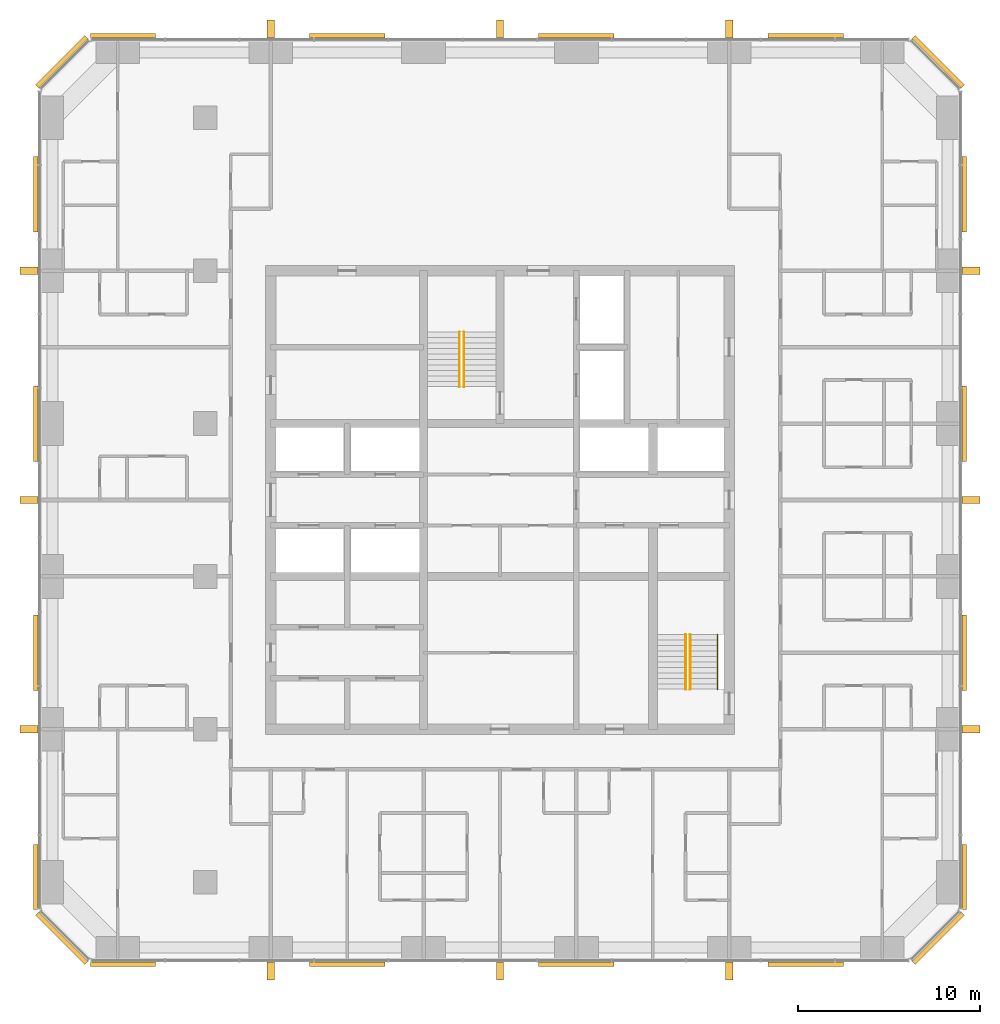
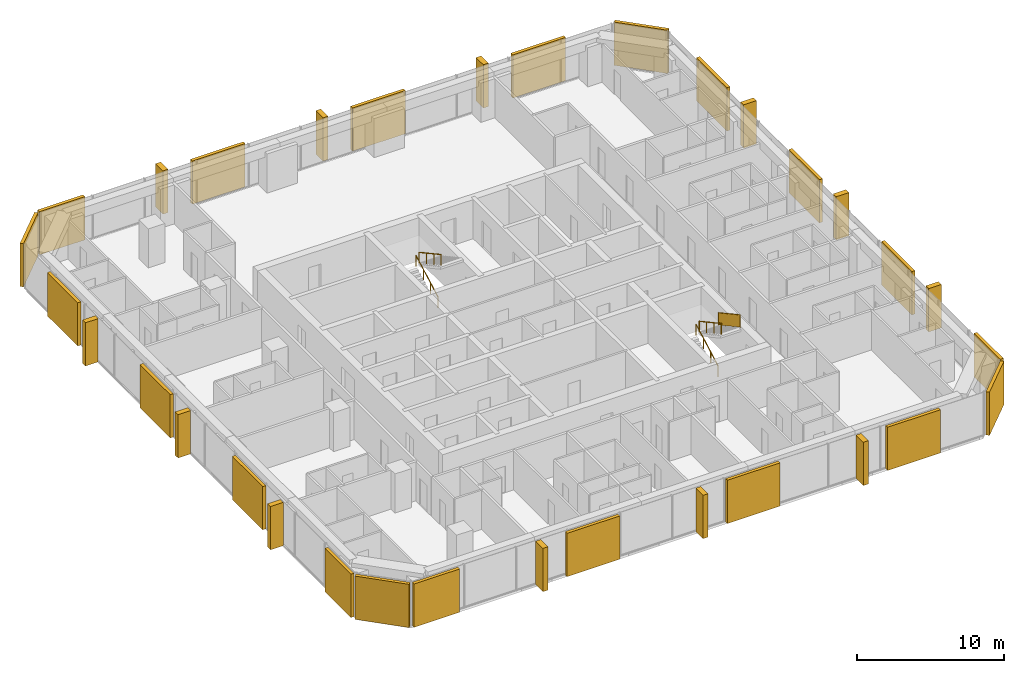
# One storey, part 14 of 14: 20 coverings, 12 shading devices, 5 railings.
"""IFC4 building model written with IfcOpenShell, lengths in metres."""

from ifc_helpers import new_model, si_unit, direction, frame, origin, origin_2d, place, context, subcontext, project, spatial, polyline, rectangle, circle, outline, extrude, material, layer, layer_set, type_object, element, save


model = new_model("IFC4")

# Units and contexts
model_context = context("Model", 3, precision=1e-05, world=origin(), true_north=direction((0.0, 1.0)))
body_context = subcontext(model_context, "Body", "Model", "MODEL_VIEW")
ifc_project = project(units=[si_unit("LENGTHUNIT", "METRE"), si_unit("AREAUNIT", "SQUARE_METRE"), si_unit("VOLUMEUNIT", "CUBIC_METRE"), si_unit("PLANEANGLEUNIT", "RADIAN"), si_unit("MASSUNIT", "GRAM", prefix="KILO")], contexts=[model_context])

# Site, building, storey
site_placement = place(None, origin())
site = spatial("IfcSite", under=ifc_project, at=site_placement, CompositionType="ELEMENT")
building_placement = place(site_placement, origin())
building = spatial("IfcBuilding", under=site, at=building_placement, Name="Dunama Terrace Hotel", CompositionType="ELEMENT")
storey_placement = place(building_placement, frame((0.0, 0.0, 180.60009765625)))
storey = spatial("IfcBuildingStorey", under=building, at=storey_placement, Name="L46", CompositionType="ELEMENT", Elevation=180.60009765625)

# Railings
ifc_material_1 = material(Name="Stainless steel and laminated glass guard", Category="steel")
railing_type_1 = type_object("IfcRailingType", Name="Guard 1100", PredefinedType="GUARDRAIL", material=ifc_material_1)
railing_1_placement = place(storey_placement, frame((41.35009765625, 22.0, 1.963623046875)))
element("IfcRailing", 1, at=railing_1_placement, inside=storey, type_object=railing_type_1, Name="Stair guard ST2 L46", PredefinedType="GUARDRAIL", context=body_context, shape_type="SweptSolid", body=[
    extrude(circle(Radius=0.02392578125, at=origin_2d()), frame((0.0, 0.0, 1.076171875), z_axis=(0.0, -0.877911954615, 0.47882209634), x_axis=(1.0, 0.0, 0.0)), (0.0, 0.0, 1.0), 3.417236328125),
    extrude(circle(Radius=0.02099609375, at=origin_2d()), origin(), (0.0, 0.0, 1.0), 1.052001953125),
    extrude(circle(Radius=0.02099609375, at=origin_2d()), frame((0.0, -1.0, 0.54541015625)), (0.0, 0.0, 1.0), 1.052001953125),
    extrude(circle(Radius=0.02099609375, at=origin_2d()), frame((0.0, -2.0, 1.0908203125)), (0.0, 0.0, 1.0), 1.052001953125),
    extrude(circle(Radius=0.02099609375, at=origin_2d()), frame((0.0, -3.0, 1.63623046875)), (0.0, 0.0, 1.0), 1.052001953125),
    extrude(outline(polyline([(0.0048828125, 0.052734375), (0.9951171875, 0.5927734375), (0.9951171875, 1.618896484375), (0.0048828125, 1.07861328125), (0.0048828125, 0.052734375)])), frame((0.0087890625, 0.0, 0.0), z_axis=(-1.0, 0.0, 0.0), x_axis=(0.0, -1.0, 0.0)), (0.0, 0.0, 1.0), 0.017578125),
    extrude(outline(polyline([(0.0048828125, 0.052734375), (0.9951171875, 0.5927734375), (0.9951171875, 1.618896484375), (0.0048828125, 1.07861328125), (0.0048828125, 0.052734375)])), frame((0.0087890625, -1.0, 0.54541015625), z_axis=(-1.0, 0.0, 0.0), x_axis=(0.0, -1.0, 0.0)), (0.0, 0.0, 1.0), 0.017578125),
    extrude(outline(polyline([(0.0048828125, 0.052734375), (0.9951171875, 0.5927734375), (0.9951171875, 1.618896484375), (0.0048828125, 1.07861328125), (0.0048828125, 0.052734375)])), frame((0.0087890625, -2.0, 1.0908203125), z_axis=(-1.0, 0.0, 0.0), x_axis=(0.0, -1.0, 0.0)), (0.0, 0.0, 1.0), 0.017578125),
])
ifc_material_2 = material(Name="Stainless steel handrail", Category="steel")
railing_type_2 = type_object("IfcRailingType", Name="Stair handrail 900", PredefinedType="HANDRAIL", material=ifc_material_2)
railing_2_placement = place(storey_placement, frame((27.175048828125, 35.625, 0.16357421875)))
element("IfcRailing", 2, at=railing_2_placement, inside=storey, type_object=railing_type_2, Name="Handrail ST1 L46", PredefinedType="HANDRAIL", context=body_context, shape_type="SweptSolid", body=[
    extrude(circle(Radius=0.02392578125, at=origin_2d()), frame((0.0, 0.0, 0.8759765625), z_axis=(0.0, 0.877911954615, 0.47882209634), x_axis=(-1.0, 0.0, 0.0)), (0.0, 0.0, 1.0), 3.417236328125),
    extrude(circle(Radius=0.02099609375, at=origin_2d()), origin(), (0.0, 0.0, 1.0), 0.851806640625),
    extrude(circle(Radius=0.02099609375, at=origin_2d()), frame((0.0, 1.0, 0.54541015625)), (0.0, 0.0, 1.0), 0.851806640625),
    extrude(circle(Radius=0.02099609375, at=origin_2d()), frame((0.0, 2.0, 1.0908203125)), (0.0, 0.0, 1.0), 0.851806640625),
    extrude(circle(Radius=0.02099609375, at=origin_2d()), frame((0.0, 3.0, 1.63623046875)), (0.0, 0.0, 1.0), 0.851806640625),
])
railing_3_placement = place(storey_placement, frame((27.425048828125, 38.625, 1.963623046875)))
element("IfcRailing", 3, at=railing_3_placement, inside=storey, type_object=railing_type_2, Name="Handrail ST1 L46", PredefinedType="HANDRAIL", context=body_context, shape_type="SweptSolid", body=[
    extrude(circle(Radius=0.02392578125, at=origin_2d()), frame((0.0, 0.0, 0.8759765625), z_axis=(0.0, -0.877911954615, 0.47882209634), x_axis=(1.0, 0.0, 0.0)), (0.0, 0.0, 1.0), 3.417236328125),
    extrude(circle(Radius=0.02099609375, at=origin_2d()), origin(), (0.0, 0.0, 1.0), 0.851806640625),
    extrude(circle(Radius=0.02099609375, at=origin_2d()), frame((0.0, -1.0, 0.54541015625)), (0.0, 0.0, 1.0), 0.851806640625),
    extrude(circle(Radius=0.02099609375, at=origin_2d()), frame((0.0, -2.0, 1.0908203125)), (0.0, 0.0, 1.0), 0.851806640625),
    extrude(circle(Radius=0.02099609375, at=origin_2d()), frame((0.0, -3.0, 1.63623046875)), (0.0, 0.0, 1.0), 0.851806640625),
])
railing_4_placement = place(storey_placement, frame((39.60009765625, 19.0, 0.16357421875)))
element("IfcRailing", 4, at=railing_4_placement, inside=storey, type_object=railing_type_2, Name="Handrail ST2 L46", PredefinedType="HANDRAIL", context=body_context, shape_type="SweptSolid", body=[
    extrude(circle(Radius=0.02392578125, at=origin_2d()), frame((0.0, 0.0, 0.8759765625), z_axis=(0.0, 0.877911954615, 0.47882209634), x_axis=(-1.0, 0.0, 0.0)), (0.0, 0.0, 1.0), 3.417236328125),
    extrude(circle(Radius=0.02099609375, at=origin_2d()), origin(), (0.0, 0.0, 1.0), 0.851806640625),
    extrude(circle(Radius=0.02099609375, at=origin_2d()), frame((0.0, 1.0, 0.54541015625)), (0.0, 0.0, 1.0), 0.851806640625),
    extrude(circle(Radius=0.02099609375, at=origin_2d()), frame((0.0, 2.0, 1.0908203125)), (0.0, 0.0, 1.0), 0.851806640625),
    extrude(circle(Radius=0.02099609375, at=origin_2d()), frame((0.0, 3.0, 1.63623046875)), (0.0, 0.0, 1.0), 0.851806640625),
])
railing_5_placement = place(storey_placement, frame((39.85009765625, 22.0, 1.963623046875)))
element("IfcRailing", 5, at=railing_5_placement, inside=storey, type_object=railing_type_2, Name="Handrail ST2 L46", PredefinedType="HANDRAIL", context=body_context, shape_type="SweptSolid", body=[
    extrude(circle(Radius=0.02392578125, at=origin_2d()), frame((0.0, 0.0, 0.8759765625), z_axis=(0.0, -0.877911954615, 0.47882209634), x_axis=(1.0, 0.0, 0.0)), (0.0, 0.0, 1.0), 3.417236328125),
    extrude(circle(Radius=0.02099609375, at=origin_2d()), origin(), (0.0, 0.0, 1.0), 0.851806640625),
    extrude(circle(Radius=0.02099609375, at=origin_2d()), frame((0.0, -1.0, 0.54541015625)), (0.0, 0.0, 1.0), 0.851806640625),
    extrude(circle(Radius=0.02099609375, at=origin_2d()), frame((0.0, -2.0, 1.0908203125)), (0.0, 0.0, 1.0), 0.851806640625),
    extrude(circle(Radius=0.02099609375, at=origin_2d()), frame((0.0, -3.0, 1.63623046875)), (0.0, 0.0, 1.0), 0.851806640625),
])

# Coverings
ifc_material_3 = material(Name="Warm reconstituted stone panel", Category="masonry")
ifc_layer_1 = layer(ifc_material_3, 0.25)
ifc_layer_set_1 = layer_set([ifc_layer_1], Name="Stone diagonal panel")
covering_type = type_object("IfcCoveringType", Name="Stone diagonal panel", PredefinedType="CLADDING", material=ifc_layer_set_1)
covering_1_placement = place(storey_placement, frame((8.68994140625, 3.876953125, 0.001953125), z_axis=(0.0, 0.0, 1.0), x_axis=(1.0, 0.0, 0.0)))
element("IfcCovering", 6, at=covering_1_placement, inside=storey, type_object=covering_type, Name="Stone diagonal panel L46", PredefinedType="CLADDING", context=body_context, shape_type="SweptSolid", body=[
    extrude(rectangle(XDim=3.570068359375, YDim=0.25, at=origin_2d()), origin(), (0.0, 0.0, 1.0), 3.595947265625),
])
for number, where, z_axis, x_axis, name in (
    (7, (21.0, 3.876953125, 0.001953125), (0.0, 0.0, 1.0), (1.0, 0.0, 0.0), "Stone diagonal panel L46"),
    (8, (33.60009765625, 3.876953125, 0.001953125), (0.0, 0.0, 1.0), (1.0, 0.0, 0.0), "Stone diagonal panel L46"),
    (9, (46.199951171875, 3.876953125, 0.001953125), (0.0, 0.0, 1.0), (1.0, 0.0, 0.0), "Stone diagonal panel L46"),
):
    element("IfcCovering", number, at=place(storey_placement, frame(where, z_axis=z_axis, x_axis=x_axis)), inside=storey, type_object=covering_type, Name=name, PredefinedType="CLADDING", context=body_context, shape_type="SweptSolid", body=[
        extrude(rectangle(XDim=4.14990234375, YDim=0.25, at=origin_2d()), origin(), (0.0, 0.0, 1.0), 3.595947265625),
    ])
covering_2_placement = place(storey_placement, frame((53.47900390625, 5.321044921875, 0.001953125), z_axis=(0.0, 0.0, 1.0), x_axis=(0.707106781187, 0.707106781187, 0.0)))
element("IfcCovering", 10, at=covering_2_placement, inside=storey, type_object=covering_type, Name="Stone diagonal panel L46", PredefinedType="CLADDING", context=body_context, shape_type="SweptSolid", body=[
    extrude(rectangle(XDim=3.808349609375, YDim=0.25, at=origin_2d()), origin(), (0.0, 0.0, 1.0), 3.595947265625),
])
covering_3_placement = place(storey_placement, frame((54.923095703125, 8.68994140625, 0.001953125), z_axis=(0.0, 0.0, 1.0), x_axis=(0.0, 1.0, 0.0)))
element("IfcCovering", 11, at=covering_3_placement, inside=storey, type_object=covering_type, Name="Stone diagonal panel L46", PredefinedType="CLADDING", context=body_context, shape_type="SweptSolid", body=[
    extrude(rectangle(XDim=3.570068359375, YDim=0.25, at=origin_2d()), origin(), (0.0, 0.0, 1.0), 3.595947265625),
])
for number, where, z_axis, x_axis, name in (
    (12, (54.923095703125, 21.0, 0.001953125), (0.0, 0.0, 1.0), (0.0, 1.0, 0.0), "Stone diagonal panel L46"),
    (13, (54.923095703125, 33.60009765625, 0.001953125), (0.0, 0.0, 1.0), (0.0, 1.0, 0.0), "Stone diagonal panel L46"),
    (14, (54.923095703125, 46.199951171875, 0.001953125), (0.0, 0.0, 1.0), (0.0, 1.0, 0.0), "Stone diagonal panel L46"),
):
    element("IfcCovering", number, at=place(storey_placement, frame(where, z_axis=z_axis, x_axis=x_axis)), inside=storey, type_object=covering_type, Name=name, PredefinedType="CLADDING", context=body_context, shape_type="SweptSolid", body=[
        extrude(rectangle(XDim=4.14990234375, YDim=0.25, at=origin_2d()), origin(), (0.0, 0.0, 1.0), 3.595947265625),
    ])
covering_4_placement = place(storey_placement, frame((53.47900390625, 53.47900390625, 0.001953125), z_axis=(0.0, 0.0, 1.0), x_axis=(-0.707106781187, 0.707106781187, 0.0)))
element("IfcCovering", 15, at=covering_4_placement, inside=storey, type_object=covering_type, Name="Stone diagonal panel L46", PredefinedType="CLADDING", context=body_context, shape_type="SweptSolid", body=[
    extrude(rectangle(XDim=3.808349609375, YDim=0.25, at=origin_2d()), origin(), (0.0, 0.0, 1.0), 3.595947265625),
])
for number, where, z_axis, x_axis, name in (
    (16, (46.199951171875, 54.923095703125, 0.001953125), (0.0, 0.0, 1.0), (-1.0, 0.0, 0.0), "Stone diagonal panel L46"),
    (17, (33.60009765625, 54.923095703125, 0.001953125), (0.0, 0.0, 1.0), (-1.0, 0.0, 0.0), "Stone diagonal panel L46"),
    (18, (21.0, 54.923095703125, 0.001953125), (0.0, 0.0, 1.0), (-1.0, 0.0, 0.0), "Stone diagonal panel L46"),
):
    element("IfcCovering", number, at=place(storey_placement, frame(where, z_axis=z_axis, x_axis=x_axis)), inside=storey, type_object=covering_type, Name=name, PredefinedType="CLADDING", context=body_context, shape_type="SweptSolid", body=[
        extrude(rectangle(XDim=4.14990234375, YDim=0.25, at=origin_2d()), origin(), (0.0, 0.0, 1.0), 3.595947265625),
    ])
covering_5_placement = place(storey_placement, frame((8.68994140625, 54.923095703125, 0.001953125), z_axis=(0.0, 0.0, 1.0), x_axis=(-1.0, 0.0, 0.0)))
element("IfcCovering", 19, at=covering_5_placement, inside=storey, type_object=covering_type, Name="Stone diagonal panel L46", PredefinedType="CLADDING", context=body_context, shape_type="SweptSolid", body=[
    extrude(rectangle(XDim=3.570068359375, YDim=0.25, at=origin_2d()), origin(), (0.0, 0.0, 1.0), 3.595947265625),
])
covering_6_placement = place(storey_placement, frame((5.321044921875, 53.47900390625, 0.001953125), z_axis=(0.0, 0.0, 1.0), x_axis=(-0.707106781187, -0.707106781187, 0.0)))
element("IfcCovering", 20, at=covering_6_placement, inside=storey, type_object=covering_type, Name="Stone diagonal panel L46", PredefinedType="CLADDING", context=body_context, shape_type="SweptSolid", body=[
    extrude(rectangle(XDim=3.808349609375, YDim=0.25, at=origin_2d()), origin(), (0.0, 0.0, 1.0), 3.595947265625),
])
for number, where, z_axis, x_axis, name in (
    (21, (3.876953125, 46.199951171875, 0.001953125), (0.0, 0.0, 1.0), (0.0, -1.0, 0.0), "Stone diagonal panel L46"),
    (22, (3.876953125, 33.60009765625, 0.001953125), (0.0, 0.0, 1.0), (0.0, -1.0, 0.0), "Stone diagonal panel L46"),
    (23, (3.876953125, 21.0, 0.001953125), (0.0, 0.0, 1.0), (0.0, -1.0, 0.0), "Stone diagonal panel L46"),
):
    element("IfcCovering", number, at=place(storey_placement, frame(where, z_axis=z_axis, x_axis=x_axis)), inside=storey, type_object=covering_type, Name=name, PredefinedType="CLADDING", context=body_context, shape_type="SweptSolid", body=[
        extrude(rectangle(XDim=4.14990234375, YDim=0.25, at=origin_2d()), origin(), (0.0, 0.0, 1.0), 3.595947265625),
    ])
covering_7_placement = place(storey_placement, frame((3.876953125, 8.68994140625, 0.001953125), z_axis=(0.0, 0.0, 1.0), x_axis=(0.0, -1.0, 0.0)))
element("IfcCovering", 24, at=covering_7_placement, inside=storey, type_object=covering_type, Name="Stone diagonal panel L46", PredefinedType="CLADDING", context=body_context, shape_type="SweptSolid", body=[
    extrude(rectangle(XDim=3.570068359375, YDim=0.25, at=origin_2d()), origin(), (0.0, 0.0, 1.0), 3.595947265625),
])
covering_8_placement = place(storey_placement, frame((5.321044921875, 5.321044921875, 0.001953125), z_axis=(0.0, 0.0, 1.0), x_axis=(0.707106781187, -0.707106781187, 0.0)))
element("IfcCovering", 25, at=covering_8_placement, inside=storey, type_object=covering_type, Name="Stone diagonal panel L46", PredefinedType="CLADDING", context=body_context, shape_type="SweptSolid", body=[
    extrude(rectangle(XDim=3.808349609375, YDim=0.25, at=origin_2d()), origin(), (0.0, 0.0, 1.0), 3.595947265625),
])

# Shading devices
ifc_material_4 = material(Name="Warm reconstituted stone fin", Category="masonry")
ifc_layer_2 = layer(ifc_material_4, 0.39990234375)
ifc_layer_set_2 = layer_set([ifc_layer_2], Name="Warm stone fin 400x1000")
shading_device_type = type_object("IfcShadingDeviceType", Name="Warm stone fin 400x1000", PredefinedType="USERDEFINED", material=ifc_layer_set_2)
for number, where, z_axis, x_axis, name in (
    (26, (16.800048828125, 3.52197265625, -0.000244140625), (0.0, 0.0, 1.0), (1.0, 0.0, 0.0), "Stone fin"),
    (27, (29.39990234375, 3.52197265625, -0.000244140625), (0.0, 0.0, 1.0), (1.0, 0.0, 0.0), "Stone fin"),
    (28, (42.0, 3.52197265625, -0.000244140625), (0.0, 0.0, 1.0), (1.0, 0.0, 0.0), "Stone fin"),
    (29, (55.278076171875, 16.800048828125, -0.000244140625), (0.0, 0.0, 1.0), (0.0, 1.0, 0.0), "Stone fin"),
    (30, (55.278076171875, 29.39990234375, -0.000244140625), (0.0, 0.0, 1.0), (0.0, 1.0, 0.0), "Stone fin"),
    (31, (55.278076171875, 42.0, -0.000244140625), (0.0, 0.0, 1.0), (0.0, 1.0, 0.0), "Stone fin"),
    (32, (42.0, 55.278076171875, -0.000244140625), (0.0, 0.0, 1.0), (-1.0, 0.0, 0.0), "Stone fin"),
    (33, (29.39990234375, 55.278076171875, -0.000244140625), (0.0, 0.0, 1.0), (-1.0, 0.0, 0.0), "Stone fin"),
    (34, (16.800048828125, 55.278076171875, -0.000244140625), (0.0, 0.0, 1.0), (-1.0, 0.0, 0.0), "Stone fin"),
    (35, (3.52197265625, 42.0, -0.000244140625), (0.0, 0.0, 1.0), (0.0, -1.0, 0.0), "Stone fin"),
    (36, (3.52197265625, 29.39990234375, -0.000244140625), (0.0, 0.0, 1.0), (0.0, -1.0, 0.0), "Stone fin"),
    (37, (3.52197265625, 16.800048828125, -0.000244140625), (0.0, 0.0, 1.0), (0.0, -1.0, 0.0), "Stone fin"),
):
    element("IfcShadingDevice", number, at=place(storey_placement, frame(where, z_axis=z_axis, x_axis=x_axis)), inside=storey, type_object=shading_device_type, Name=name, ObjectType="FIN", PredefinedType="USERDEFINED", context=body_context, shape_type="SweptSolid", body=[
        extrude(rectangle(XDim=0.39990234375, YDim=1.0, at=origin_2d()), origin(), (0.0, 0.0, 1.0), 3.60009765625),
    ])

save(model, "model.ifc")
